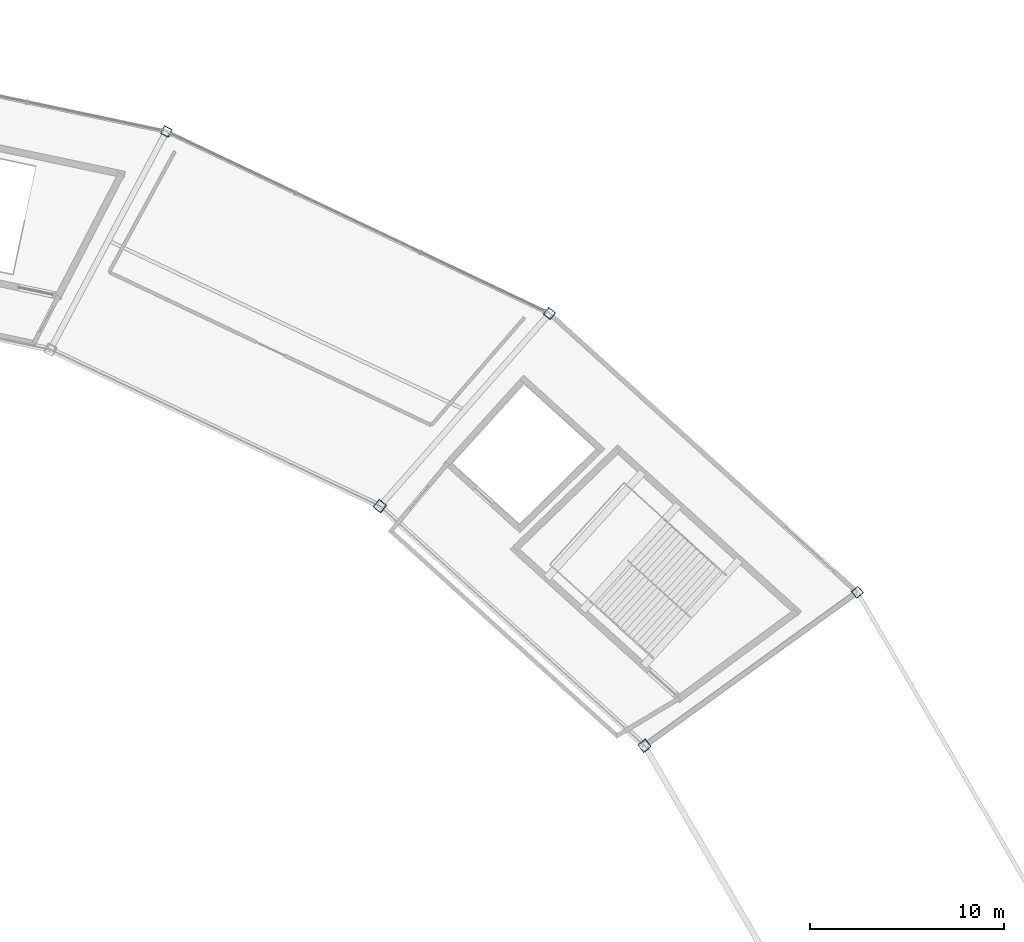
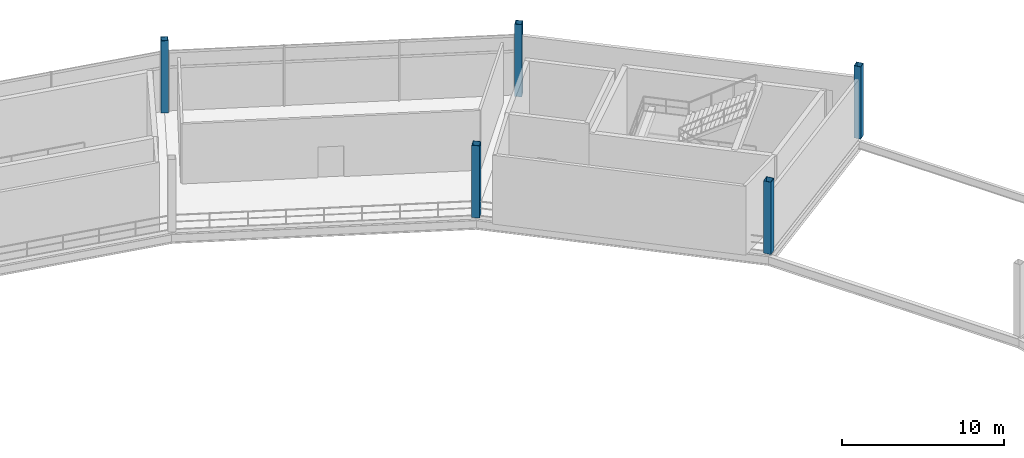
# One storey, part 10 of 103: 5 columns.
"""IFC4 building model written with IfcOpenShell, lengths in metres."""

from ifc_helpers import new_model, si_unit, direction, frame, origin, origin_2d, place, context, subcontext, project, spatial, hollow_rectangle, extrude, material, material_profile, profile_set, type_object, element, save


model = new_model("IFC4")

# Units and contexts
model_context = context("Model", 3, precision=1e-05, world=origin(), true_north=direction((0.0, 1.0)))
body_context = subcontext(model_context, "Body", "Model", "MODEL_VIEW")
ifc_project = project(units=[si_unit("LENGTHUNIT", "METRE"), si_unit("AREAUNIT", "SQUARE_METRE"), si_unit("VOLUMEUNIT", "CUBIC_METRE"), si_unit("PLANEANGLEUNIT", "RADIAN"), si_unit("MASSUNIT", "GRAM", prefix="KILO")], contexts=[model_context])

# Site, building, storey
site_placement = place(None, origin())
site = spatial("IfcSite", under=ifc_project, at=site_placement, CompositionType="ELEMENT")
building_placement = place(site_placement, origin())
building = spatial("IfcBuilding", under=site, at=building_placement, Name="Kazemori Nagisa Stadium", CompositionType="ELEMENT")
storey_placement = place(building_placement, frame((0.0, 0.0, 25.840087890625)))
storey = spatial("IfcBuildingStorey", under=building, at=storey_placement, Name="L05", CompositionType="ELEMENT", Elevation=25.840087890625)

# Columns
ifc_material = material(Name="Steel STKR490", Category="steel")
ifc_material_profile_1 = material_profile(ifc_material, hollow_rectangle(XDim=0.449951171875, YDim=0.449951171875, WallThickness=0.02197265625, at=origin_2d()), Name="SHS-450x450x22")
ifc_profile_set_1 = profile_set([ifc_material_profile_1], Name="Steel STKR490")
column_type_1 = type_object("IfcColumnType", Name="Column_C-ST450", PredefinedType="COLUMN", material=ifc_profile_set_1)
for number, where, z_axis, x_axis, name in (
    (1, (201.495361328125, 158.667724609375, 0.0), (0.0, 0.0, 1.0), (0.781831482473, 0.623489801853, 0.0), "Column C-ST450 L05 R3-04"),
    (2, (185.597900390625, 173.05908203125, 0.0), (0.0, 0.0, 1.0), (0.623489801853, 0.781831482473, 0.0), "Column C-ST450 L05 R3-05"),
    (3, (165.8046875, 182.46435546875, 0.0), (0.0, 0.0, 1.0), (0.433883739113, 0.900968867905, 0.0), "Column C-ST450 L05 R3-06"),
):
    element("IfcColumn", number, at=place(storey_placement, frame(where, z_axis=z_axis, x_axis=x_axis)), inside=storey, type_object=column_type_1, Name=name, PredefinedType="COLUMN", context=body_context, shape_type="SweptSolid", body=[
        extrude(hollow_rectangle(XDim=0.449951171875, YDim=0.449951171875, WallThickness=0.02197265625, at=origin_2d()), origin(), (0.0, 0.0, 1.0), 5.43994140625),
    ])
ifc_material_profile_2 = material_profile(ifc_material, hollow_rectangle(XDim=0.5, YDim=0.5, WallThickness=0.02197265625, at=origin_2d()), Name="SHS-500x500x22")
ifc_profile_set_2 = profile_set([ifc_material_profile_2], Name="Steel STKR490")
column_type_2 = type_object("IfcColumnType", Name="Column_C-ST500", PredefinedType="COLUMN", material=ifc_profile_set_2)
for number, where, z_axis, x_axis, name in (
    (4, (190.506103515625, 150.734130859375, 0.0), (0.0, 0.0, 1.0), (0.781831482473, 0.623489801853, 0.0), "Column C-ST500 L05 R2-04"),
    (5, (176.834228515625, 163.11083984375, 0.0), (0.0, 0.0, 1.0), (0.623489801853, 0.781831482473, 0.0), "Column C-ST500 L05 R2-05"),
):
    element("IfcColumn", number, at=place(storey_placement, frame(where, z_axis=z_axis, x_axis=x_axis)), inside=storey, type_object=column_type_2, Name=name, PredefinedType="COLUMN", context=body_context, shape_type="SweptSolid", body=[
        extrude(hollow_rectangle(XDim=0.5, YDim=0.5, WallThickness=0.02197265625, at=origin_2d()), origin(), (0.0, 0.0, 1.0), 5.43994140625),
    ])

save(model, "model.ifc")
